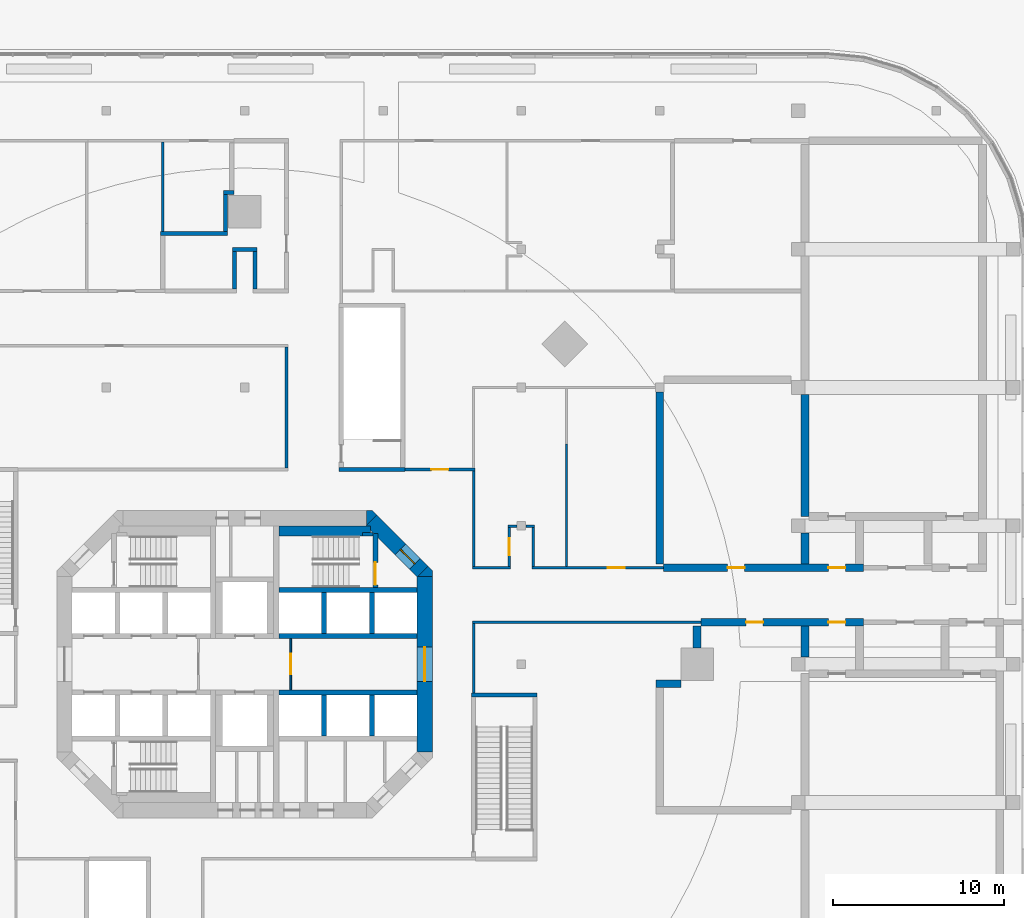
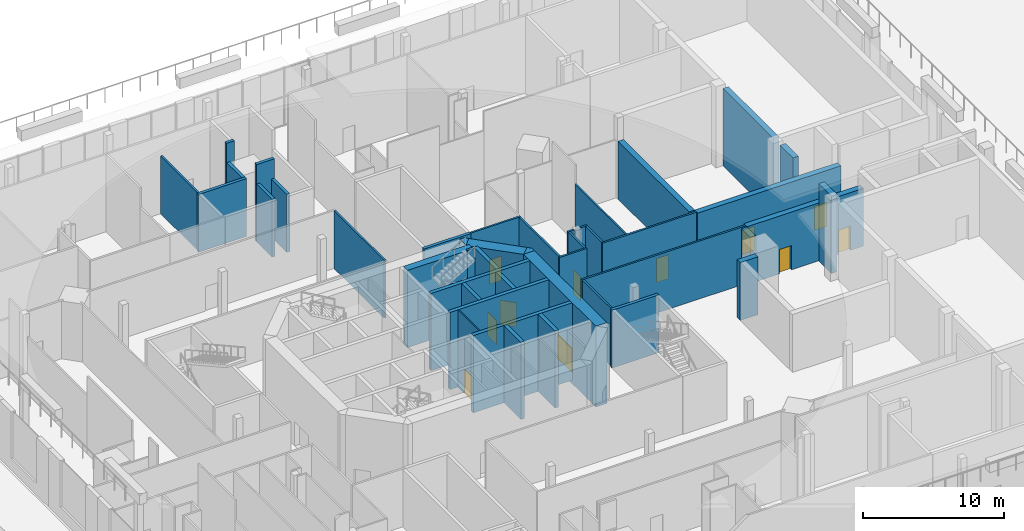
# One storey, part 11 of 17: 44 walls, 11 doors, 11 openings.
"""IFC4 building model written with IfcOpenShell, lengths in metres."""

import ifcopenshell
import ifcopenshell.guid

model = None  # the IFC model being written
_history = None  # IfcOwnerHistory: only IFC2X3 demands one
_inside = {}  # id of a spatial element -> (the spatial element, [elements in it])
_under = {}  # id of a project, library or spatial element -> (it, [spatial elements below it])
_declared = {}  # id of a project -> (the project, [libraries it declares])
_typed = {}  # id of a type object -> (the type object, [elements of that type])
_made_of = {}  # id of a material, layer set ... -> (it, [elements and type objects made of it])


def new_model(schema):
    """Start an empty IFC model of exactly this schema.

    Asked for "IFC4X3", IfcOpenShell would pick the latest addendum, in which some entities
    have other attributes; the version numbers below select the first issue.
    IFC2X3 requires an IfcOwnerHistory on every rooted entity: one is made here for all.
    """
    global model, _history
    if schema == "IFC4X3":
        model = ifcopenshell.file(schema_version=(4, 3, 0, 0))
    else:
        model = ifcopenshell.file(schema=schema)
    _inside.clear()
    _under.clear()
    _declared.clear()
    _typed.clear()
    _made_of.clear()
    _history = None
    if model.schema == "IFC2X3":
        org = make("IfcOrganization", Name="unknown")
        user = make(
            "IfcPersonAndOrganization",
            ThePerson=make("IfcPerson", FamilyName="unknown"),
            TheOrganization=org,
        )
        app = make(
            "IfcApplication",
            ApplicationDeveloper=org,
            Version="unknown",
            ApplicationFullName="unknown",
            ApplicationIdentifier="unknown",
        )
        _history = make(
            "IfcOwnerHistory",
            OwningUser=user,
            OwningApplication=app,
            ChangeAction="ADDED",
            CreationDate=0,
        )
    return model


def make(cls, **values):
    """One entity of the class cls with the attributes given. An attribute that is None is left unset."""
    return model.create_entity(
        cls, **{name: value for name, value in values.items() if value is not None}
    )


def rooted(cls, **values):
    """An entity with a GlobalId (a new one), such as an element, a storey or a relation."""
    return make(cls, GlobalId=ifcopenshell.guid.new(), OwnerHistory=_history, **values)


def si_unit(unit_type, name, prefix=None):
    """IfcSIUnit, for example si_unit("LENGTHUNIT", "METRE", prefix="MILLI")."""
    return make("IfcSIUnit", UnitType=unit_type, Prefix=prefix, Name=name)


def assignment(units):
    """IfcUnitAssignment: the units of a project."""
    return None if units is None else make("IfcUnitAssignment", Units=units)


def point(xyz):
    """IfcCartesianPoint."""
    return None if xyz is None else make("IfcCartesianPoint", Coordinates=xyz)


def direction(xyz):
    """IfcDirection."""
    return None if xyz is None else make("IfcDirection", DirectionRatios=xyz)


def frame(location, z_axis=None, x_axis=None):
    """IfcAxis2Placement3D, a coordinate frame: its origin and axes. An axis left out is left unset."""
    return make(
        "IfcAxis2Placement3D",
        Location=point(location),
        Axis=direction(z_axis),
        RefDirection=direction(x_axis),
    )


def frame_2d(location, x_axis=None):
    """IfcAxis2Placement2D, a coordinate frame in the plane: its origin and x axis."""
    return make(
        "IfcAxis2Placement2D", Location=point(location), RefDirection=direction(x_axis)
    )


def origin():
    """The frame at (0, 0, 0) with its axes left unset."""
    return frame((0.0, 0.0, 0.0))


def place(relative_to, where):
    """IfcLocalPlacement: puts the frame where relative to a parent placement (None: the world)."""
    return make(
        "IfcLocalPlacement", PlacementRelTo=relative_to, RelativePlacement=where
    )


def context(
    kind, dimensions, precision=None, world=None, true_north=None, identifier=None
):
    """IfcGeometricRepresentationContext, for example the 3D "Model" context."""
    return make(
        "IfcGeometricRepresentationContext",
        ContextIdentifier=identifier,
        ContextType=kind,
        CoordinateSpaceDimension=dimensions,
        Precision=precision,
        WorldCoordinateSystem=world,
        TrueNorth=true_north,
    )


def subcontext(parent, identifier, kind, view, scale=None):
    """IfcGeometricRepresentationSubContext, for example "Body" below "Model"."""
    return make(
        "IfcGeometricRepresentationSubContext",
        ContextIdentifier=identifier,
        ContextType=kind,
        ParentContext=parent,
        TargetScale=scale,
        TargetView=view,
    )


def project(units=None, contexts=None):
    """IfcProject with its units and contexts."""
    return rooted(
        "IfcProject",
        Name="project",
        RepresentationContexts=contexts,
        UnitsInContext=assignment(units),
    )


def spatial(cls, under=None, at=None, **own):
    """A site, building, storey or space (cls), placed at a placement, below another one or the project."""
    s = rooted(cls, ObjectPlacement=at, **own)
    if under is not None:
        _under.setdefault(under.id(), (under, []))[1].append(s)
    return s


def polyline(points):
    """IfcPolyline through the points."""
    return make("IfcPolyline", Points=[point(p) for p in points])


def profile(cls, at=None, kind="AREA", **sizes):
    """A parametric profile (cls). Its sizes go by their IFC names, for example OverallWidth=200.0."""
    return make(cls, ProfileType=kind, Position=at, **sizes)


def rectangle(**sizes):
    """IfcRectangleProfileDef."""
    return profile("IfcRectangleProfileDef", **sizes)


def outline(outer, holes=None, kind="AREA"):
    """IfcArbitraryClosedProfileDef: a profile drawn as a closed curve; with holes, ...WithVoids."""
    if holes is None:
        return make("IfcArbitraryClosedProfileDef", ProfileType=kind, OuterCurve=outer)
    return make(
        "IfcArbitraryProfileDefWithVoids",
        ProfileType=kind,
        OuterCurve=outer,
        InnerCurves=holes,
    )


def extrude(swept, where, along, depth):
    """IfcExtrudedAreaSolid: the profile swept, set in the frame where, extruded along a direction by depth."""
    return make(
        "IfcExtrudedAreaSolid",
        SweptArea=swept,
        Position=where,
        ExtrudedDirection=direction(along),
        Depth=depth,
    )


def shape(context_of_items, identifier, shape_type, items):
    """IfcShapeRepresentation: the items that make up one representation, for example the "Body"."""
    return make(
        "IfcShapeRepresentation",
        ContextOfItems=context_of_items,
        RepresentationIdentifier=identifier,
        RepresentationType=shape_type,
        Items=items,
    )


def material(Name=None, Category=None):
    """IfcMaterial."""
    return make("IfcMaterial", Name=Name, Category=Category)


def layer(
    of_material, thickness, ventilated=None, Name=None, Category=None, Priority=None
):
    """IfcMaterialLayer: one layer of a wall or slab, of a material (None: an air gap)."""
    return make(
        "IfcMaterialLayer",
        Material=of_material,
        LayerThickness=thickness,
        IsVentilated=ventilated,
        Name=Name,
        Category=Category,
        Priority=Priority,
    )


def layer_set(layers, Name=None):
    """IfcMaterialLayerSet."""
    return make("IfcMaterialLayerSet", MaterialLayers=layers, LayerSetName=Name)


def made_of(thing, what):
    """Note that an element or type object is made of a material, layer set ...; save() writes the relation."""
    if what is not None:
        _made_of.setdefault(what.id(), (what, []))[1].append(thing)
    return thing


def type_object(cls, material=None, **own):
    """A type object (cls), such as IfcWallType, which elements share."""
    return made_of(rooted(cls, **own), material)


def element(
    cls,
    number,
    at=None,
    inside=None,
    cuts=None,
    type_object=None,
    material=None,
    context=None,
    identifier="Body",
    shape_type=None,
    held_by="IfcProductDefinitionShape",
    body=None,
    shapes=None,
    **own,
):
    """One element of the class cls, such as IfcWall. Its Tag is "e" and its number.

    at: its placement. inside: the storey or other place that contains it. cuts: it is an
    opening in that element (IfcRelVoidsElement). A single representation is given by context,
    identifier, shape_type and body (its items); several are given by shapes. held_by: the class
    of the entity that holds the representations. save() writes the other relations.
    """
    e = rooted(cls, Tag="e%d" % number, ObjectPlacement=at, **own)
    if body is not None:
        shapes = [shape(context, identifier, shape_type, body)]
    if shapes is not None:
        e.Representation = make(held_by, Representations=shapes)
    if inside is not None:
        _inside.setdefault(inside.id(), (inside, []))[1].append(e)
    if cuts is not None:
        rooted(
            "IfcRelVoidsElement", RelatingBuildingElement=cuts, RelatedOpeningElement=e
        )
    if type_object is not None:
        _typed.setdefault(type_object.id(), (type_object, []))[1].append(e)
    return made_of(e, material)


def fill(opening, filler):
    """IfcRelFillsElement: the door or window that sits in an opening."""
    return rooted(
        "IfcRelFillsElement",
        RelatingOpeningElement=opening,
        RelatedBuildingElement=filler,
    )


def aggregate(whole, parts):
    """IfcRelAggregates: a whole, such as a stair, and the parts it consists of."""
    return rooted("IfcRelAggregates", RelatingObject=whole, RelatedObjects=parts)


def save(model, path):
    """Write the relations noted so far, then the file.

    IfcRelAggregates (storeys below a building ...), IfcRelContainedInSpatialStructure (elements
    in a storey), IfcRelDefinesByType, IfcRelAssociatesMaterial and IfcRelDeclares: one each for
    every whole, place, type object, material and project.
    """
    for whole, parts in _under.values():
        aggregate(whole, parts)
    for where, things in _inside.values():
        rooted(
            "IfcRelContainedInSpatialStructure",
            RelatedElements=things,
            RelatingStructure=where,
        )
    for kind, things in _typed.values():
        rooted("IfcRelDefinesByType", RelatedObjects=things, RelatingType=kind)
    for what, things in _made_of.values():
        rooted("IfcRelAssociatesMaterial", RelatedObjects=things, RelatingMaterial=what)
    for by, libraries in _declared.values():
        rooted("IfcRelDeclares", RelatingContext=by, RelatedDefinitions=libraries)
    model.write(path)


model = new_model("IFC4")

# Units and contexts
model_context = context("Model", 3, precision=1e-05, world=origin(), true_north=direction((0.0, 1.0)))
body_context = subcontext(model_context, "Body", "Model", "MODEL_VIEW")
ifc_project = project(units=[si_unit("LENGTHUNIT", "METRE"), si_unit("AREAUNIT", "SQUARE_METRE"), si_unit("VOLUMEUNIT", "CUBIC_METRE"), si_unit("PLANEANGLEUNIT", "RADIAN"), si_unit("MASSUNIT", "GRAM", prefix="KILO")], contexts=[model_context])

# Site, building, storey
site_placement = place(None, origin())
site = spatial("IfcSite", under=ifc_project, at=site_placement, CompositionType="ELEMENT")
building_placement = place(site_placement, origin())
building = spatial("IfcBuilding", under=site, at=building_placement, Name="Torre Triforio", CompositionType="ELEMENT")
storey_placement = place(building_placement, frame((0.0, 0.0, 13.0)))
storey = spatial("IfcBuildingStorey", under=building, at=storey_placement, Name="L02", CompositionType="ELEMENT", Elevation=13.0)

# Wall, opening, door
ifc_material_1 = material(Name="Concrete C60", Category="concrete")
ifc_layer_1 = layer(ifc_material_1, 0.89990234375)
ifc_layer_set_1 = layer_set([ifc_layer_1], Name="Concrete C60")
wall_type_1 = type_object("IfcWallType", Name="Core wall 900 mm C60 EI 120", PredefinedType="SHEAR", material=ifc_layer_set_1)
wall_1_placement = place(storey_placement, frame((10.550048828125, -5.1298828125, -0.320068359375), z_axis=(0.0, 0.0, 1.0), x_axis=(0.0, 1.0, 0.0)))
wall_1 = element("IfcWall", 1, at=wall_1_placement, inside=storey, type_object=wall_type_1, Name="Core wall", PredefinedType="SHEAR", context=body_context, shape_type="SweptSolid", body=[
    extrude(rectangle(XDim=10.259765625, YDim=0.89990234375, at=frame_2d((5.1298828125, 0.0))), origin(), (0.0, 0.0, 1.0), 7.0),
])
opening_1_placement = place(wall_1_placement, frame((4.1298828125, 0.0, 0.320068359375)))
opening_1 = element("IfcOpeningElement", 2, at=opening_1_placement, cuts=wall_1, Name="Opening E-RING", PredefinedType="OPENING", context=body_context, shape_type="SweptSolid", body=[
    extrude(rectangle(XDim=2.0, YDim=2.10009765625, at=frame_2d((1.0, 1.050048828125))), frame((0.0, 0.4599609375, 0.0), z_axis=(0.0, -1.0, 0.0), x_axis=(1.0, 0.0, 0.0)), (0.0, 0.0, 1.0), 0.919921875),
])
ifc_material_2 = material(Name="Hollow metal fire door leaf")
door_type_1 = type_object("IfcDoorType", Name="Lobby door 2000 x 2100 EI 60", OperationType="DOUBLE_DOOR_SINGLE_SWING", PredefinedType="DOOR", material=ifc_material_2)
door_1_placement = place(opening_1_placement, origin())
door_1 = element("IfcDoor", 3, at=door_1_placement, inside=storey, type_object=door_type_1, Name="Core door E-RING", OperationType="DOUBLE_DOOR_SINGLE_SWING", OverallHeight=2.10009765625, OverallWidth=2.0, PredefinedType="DOOR", context=body_context, shape_type="SweptSolid", body=[
    extrude(rectangle(XDim=2.0, YDim=2.10009765625, at=frame_2d((1.0, 1.050048828125))), frame((0.0, 0.02490234375, 0.0), z_axis=(0.0, -1.0, 0.0), x_axis=(1.0, 0.0, 0.0)), (0.0, 0.0, 1.0), 0.050048828125),
])
fill(opening_1, door_1)

wall_2_placement = place(storey_placement, frame((7.418212890625, 8.418212890625, -0.320068359375), z_axis=(0.0, 0.0, 1.0), x_axis=(0.707106781187, -0.707106781187, 0.0)))
wall_2 = element("IfcWall", 4, at=wall_2_placement, inside=storey, type_object=wall_type_1, Name="Core wall", PredefinedType="SHEAR", context=body_context, shape_type="SweptSolid", body=[
    extrude(rectangle(XDim=4.24267578125, YDim=0.89990234375, at=frame_2d((2.121337890625, 0.0))), origin(), (0.0, 0.0, 1.0), 7.0),
])
opening_2_placement = place(wall_2_placement, frame((2.392578125, 0.0, 0.320068359375)))
opening_2 = element("IfcOpeningElement", 5, at=opening_2_placement, cuts=wall_2, Name="Opening ST2-EXIT", PredefinedType="OPENING", context=body_context, shape_type="SweptSolid", body=[
    extrude(rectangle(XDim=1.199951171875, YDim=2.10009765625, at=frame_2d((0.60009765625, 1.050048828125))), frame((0.0, 0.4599609375, 0.0), z_axis=(0.0, -1.0, 0.0), x_axis=(1.0, 0.0, 0.0)), (0.0, 0.0, 1.0), 0.919921875),
])
door_type_2 = type_object("IfcDoorType", Name="Stair lobby door 1200 x 2100 EI 60", OperationType="NOTDEFINED", PredefinedType="DOOR", material=ifc_material_2)
door_2_placement = place(opening_2_placement, origin())
door_2 = element("IfcDoor", 6, at=door_2_placement, inside=storey, type_object=door_type_2, Name="Core door ST2-EXIT", OperationType="SINGLE_SWING_RIGHT", OverallHeight=2.10009765625, OverallWidth=1.199951171875, PredefinedType="DOOR", context=body_context, shape_type="SweptSolid", body=[
    extrude(rectangle(XDim=1.199951171875, YDim=2.10009765625, at=frame_2d((0.60009765625, 1.050048828125))), frame((0.0, 0.02490234375, 0.0), z_axis=(0.0, -1.0, 0.0), x_axis=(1.0, 0.0, 0.0)), (0.0, 0.0, 1.0), 0.050048828125),
])
fill(opening_2, door_2)

# Walls
wall_3_placement = place(storey_placement, frame((0.0, 0.0, -0.320068359375)))
element("IfcWall", 7, at=wall_3_placement, inside=storey, type_object=wall_type_1, Name="Core wall", PredefinedType="SHEAR", context=body_context, shape_type="SweptSolid", body=[
    extrude(outline(polyline([(11.0, 5.472900390625), (11.0, 5.1298828125), (10.1298828125, 5.1298828125), (10.736328125, 5.736328125), (11.0, 5.472900390625)])), origin(), (0.0, 0.0, 1.0), 7.0),
])
wall_4_placement = place(storey_placement, frame((0.0, 0.0, -0.320068359375)))
element("IfcWall", 8, at=wall_4_placement, inside=storey, type_object=wall_type_1, Name="Core wall", PredefinedType="SHEAR", context=body_context, shape_type="SweptSolid", body=[
    extrude(outline(polyline([(7.472900390625, 9.0), (7.736328125, 8.736328125), (7.1298828125, 8.1298828125), (7.1298828125, 9.0), (7.472900390625, 9.0)])), origin(), (0.0, 0.0, 1.0), 7.0),
])
ifc_material_3 = material(Name="Plasterboard on metal studs")
ifc_layer_2 = layer(ifc_material_3, 0.14990234375)
ifc_layer_set_2 = layer_set([ifc_layer_2], Name="Plasterboard on metal studs")
wall_type_2 = type_object("IfcWallType", Name="Corridor wall 150 EI 60", PredefinedType="PARTITIONING", material=ifc_layer_set_2)
wall_5_placement = place(storey_placement, frame((13.324951171875, 5.64990234375, 0.0), z_axis=(0.0, 0.0, 1.0), x_axis=(1.0, 0.0, 0.0)))
element("IfcWall", 9, at=wall_5_placement, inside=storey, type_object=wall_type_2, Name="Corridor wall L02 033", PredefinedType="PARTITIONING", context=body_context, shape_type="SweptSolid", body=[
    extrude(rectangle(XDim=2.25, YDim=0.14990234375, at=frame_2d((1.125, 0.0))), origin(), (0.0, 0.0, 1.0), 5.0),
])

# Wall, opening, door
wall_6_placement = place(storey_placement, frame((16.824951171875, 5.64990234375, 0.0), z_axis=(0.0, 0.0, 1.0), x_axis=(1.0, 0.0, 0.0)))
wall_6 = element("IfcWall", 10, at=wall_6_placement, inside=storey, type_object=wall_type_2, Name="Corridor wall L02 034", PredefinedType="PARTITIONING", context=body_context, shape_type="SweptSolid", body=[
    extrude(rectangle(XDim=7.699951171875, YDim=0.14990234375, at=frame_2d((3.85009765625, 0.0))), origin(), (0.0, 0.0, 1.0), 5.0),
])
opening_3_placement = place(wall_6_placement, frame((4.43505859375, 0.0, 0.0)))
opening_3 = element("IfcOpeningElement", 11, at=opening_3_placement, cuts=wall_6, Name="Opening P2-18", PredefinedType="OPENING", context=body_context, shape_type="SweptSolid", body=[
    extrude(rectangle(XDim=1.0, YDim=2.10009765625, at=frame_2d((0.5, 1.050048828125))), frame((0.0, 0.0849609375, 0.0), z_axis=(0.0, -1.0, 0.0), x_axis=(1.0, 0.0, 0.0)), (0.0, 0.0, 1.0), 0.169921875),
])
ifc_material_4 = material(Name="Timber door leaf", Category="wood")
door_type_3 = type_object("IfcDoorType", Name="Single door 1000 x 2100 EI 30", OperationType="NOTDEFINED", PredefinedType="DOOR", material=ifc_material_4)
door_3_placement = place(opening_3_placement, origin())
door_3 = element("IfcDoor", 12, at=door_3_placement, inside=storey, type_object=door_type_3, Name="Door P2-18", OperationType="SINGLE_SWING_LEFT", OverallHeight=2.10009765625, OverallWidth=1.0, PredefinedType="DOOR", context=body_context, shape_type="SweptSolid", body=[
    extrude(rectangle(XDim=1.0, YDim=2.10009765625, at=frame_2d((0.5, 1.050048828125))), frame((0.0, 0.02490234375, 0.0), z_axis=(0.0, -1.0, 0.0), x_axis=(1.0, 0.0, 0.0)), (0.0, 0.0, 1.0), 0.050048828125),
])
fill(opening_3, door_3)

# Walls
wall_7_placement = place(storey_placement, frame((15.425048828125, 8.080078125, 0.0), z_axis=(0.0, 0.0, 1.0), x_axis=(1.0, 0.0, 0.0)))
element("IfcWall", 13, at=wall_7_placement, inside=storey, type_object=wall_type_2, Name="Corridor wall L02 035", PredefinedType="PARTITIONING", context=body_context, shape_type="SweptSolid", body=[
    extrude(rectangle(XDim=0.514892578125, YDim=0.14990234375, at=frame_2d((0.25732421875, 0.0))), origin(), (0.0, 0.0, 1.0), 5.0),
])
wall_8_placement = place(storey_placement, frame((16.4599609375, 8.080078125, 0.0), z_axis=(0.0, 0.0, 1.0), x_axis=(1.0, 0.0, 0.0)))
element("IfcWall", 14, at=wall_8_placement, inside=storey, type_object=wall_type_2, Name="Corridor wall L02 036", PredefinedType="PARTITIONING", context=body_context, shape_type="SweptSolid", body=[
    extrude(rectangle(XDim=0.51513671875, YDim=0.14990234375, at=frame_2d((0.257568359375, 0.0))), origin(), (0.0, 0.0, 1.0), 5.0),
])

# Wall, opening, door
wall_9_placement = place(storey_placement, frame((15.5, 5.72509765625, 0.0), z_axis=(0.0, 0.0, 1.0), x_axis=(0.0, 1.0, 0.0)))
wall_9 = element("IfcWall", 15, at=wall_9_placement, inside=storey, type_object=wall_type_2, Name="Corridor wall L02 037", PredefinedType="PARTITIONING", context=body_context, shape_type="SweptSolid", body=[
    extrude(rectangle(XDim=2.27978515625, YDim=0.14990234375, at=frame_2d((1.139892578125, 0.0))), origin(), (0.0, 0.0, 1.0), 5.0),
])
opening_4_placement = place(wall_9_placement, frame((0.64990234375, 0.0, 0.0)))
opening_4 = element("IfcOpeningElement", 16, at=opening_4_placement, cuts=wall_9, Name="Opening P2-17", PredefinedType="OPENING", context=body_context, shape_type="SweptSolid", body=[
    extrude(rectangle(XDim=1.0, YDim=2.10009765625, at=frame_2d((0.5, 1.050048828125))), frame((0.0, 0.0849609375, 0.0), z_axis=(0.0, -1.0, 0.0), x_axis=(1.0, 0.0, 0.0)), (0.0, 0.0, 1.0), 0.169921875),
])
door_4_placement = place(opening_4_placement, origin())
door_4 = element("IfcDoor", 17, at=door_4_placement, inside=storey, type_object=door_type_3, Name="Door P2-17", OperationType="SINGLE_SWING_LEFT", OverallHeight=2.10009765625, OverallWidth=1.0, PredefinedType="DOOR", context=body_context, shape_type="SweptSolid", body=[
    extrude(rectangle(XDim=1.0, YDim=2.10009765625, at=frame_2d((0.5, 1.050048828125))), frame((0.0, 0.02490234375, 0.0), z_axis=(0.0, -1.0, 0.0), x_axis=(1.0, 0.0, 0.0)), (0.0, 0.0, 1.0), 0.050048828125),
])
fill(opening_4, door_4)

# Walls
wall_10_placement = place(storey_placement, frame((16.89990234375, 5.72509765625, 0.0), z_axis=(0.0, 0.0, 1.0), x_axis=(0.0, 1.0, 0.0)))
element("IfcWall", 18, at=wall_10_placement, inside=storey, type_object=wall_type_2, Name="Corridor wall L02 038", PredefinedType="PARTITIONING", context=body_context, shape_type="SweptSolid", body=[
    extrude(rectangle(XDim=2.27978515625, YDim=0.14990234375, at=frame_2d((1.139892578125, 0.0))), origin(), (0.0, 0.0, 1.0), 5.0),
])
wall_11_placement = place(storey_placement, frame((13.324951171875, 2.449951171875, 0.0), z_axis=(0.0, 0.0, 1.0), x_axis=(1.0, 0.0, 0.0)))
element("IfcWall", 19, at=wall_11_placement, inside=storey, type_object=wall_type_2, Name="Corridor wall L02 040", PredefinedType="PARTITIONING", context=body_context, shape_type="SweptSolid", body=[
    extrude(rectangle(XDim=13.380126953125, YDim=0.14990234375, at=frame_2d((6.68994140625, 0.0))), origin(), (0.0, 0.0, 1.0), 5.0),
])
wall_12_placement = place(storey_placement, frame((13.39990234375, 5.72509765625, 0.0), z_axis=(0.0, 0.0, 1.0), x_axis=(0.0, 1.0, 0.0)))
element("IfcWall", 20, at=wall_12_placement, inside=storey, type_object=wall_type_2, Name="Corridor wall L02 065", PredefinedType="PARTITIONING", context=body_context, shape_type="SweptSolid", body=[
    extrude(rectangle(XDim=5.599853515625, YDim=0.14990234375, at=frame_2d((2.7998046875, 0.0))), origin(), (0.0, 0.0, 1.0), 5.0),
])

# Wall, opening, door
wall_13_placement = place(storey_placement, frame((9.375, 11.39990234375, 0.0), z_axis=(0.0, 0.0, 1.0), x_axis=(1.0, 0.0, 0.0)))
wall_13 = element("IfcWall", 21, at=wall_13_placement, inside=storey, type_object=wall_type_2, Name="Corridor wall L02 092", PredefinedType="PARTITIONING", context=body_context, shape_type="SweptSolid", body=[
    extrude(rectangle(XDim=4.10009765625, YDim=0.14990234375, at=frame_2d((2.050048828125, 0.0))), origin(), (0.0, 0.0, 1.0), 5.0),
])
opening_5_placement = place(wall_13_placement, frame((1.550048828125, 0.0, 0.0)))
opening_5 = element("IfcOpeningElement", 22, at=opening_5_placement, cuts=wall_13, Name="Opening P2-19", PredefinedType="OPENING", context=body_context, shape_type="SweptSolid", body=[
    extrude(rectangle(XDim=1.0, YDim=2.10009765625, at=frame_2d((0.5, 1.050048828125))), frame((0.0, 0.0849609375, 0.0), z_axis=(0.0, -1.0, 0.0), x_axis=(1.0, 0.0, 0.0)), (0.0, 0.0, 1.0), 0.169921875),
])
door_5_placement = place(opening_5_placement, origin())
door_5 = element("IfcDoor", 23, at=door_5_placement, inside=storey, type_object=door_type_3, Name="Door P2-19", OperationType="SINGLE_SWING_LEFT", OverallHeight=2.10009765625, OverallWidth=1.0, PredefinedType="DOOR", context=body_context, shape_type="SweptSolid", body=[
    extrude(rectangle(XDim=1.0, YDim=2.10009765625, at=frame_2d((0.5, 1.050048828125))), frame((0.0, 0.02490234375, 0.0), z_axis=(0.0, -1.0, 0.0), x_axis=(1.0, 0.0, 0.0)), (0.0, 0.0, 1.0), 0.050048828125),
])
fill(opening_5, door_5)

# Walls
wall_14_placement = place(storey_placement, frame((2.449951171875, 11.47509765625, 0.0), z_axis=(0.0, 0.0, 1.0), x_axis=(0.0, 1.0, 0.0)))
element("IfcWall", 24, at=wall_14_placement, inside=storey, type_object=wall_type_2, Name="Corridor wall L02 097", PredefinedType="PARTITIONING", context=body_context, shape_type="SweptSolid", body=[
    extrude(rectangle(XDim=7.099853515625, YDim=0.14990234375, at=frame_2d((3.5498046875, 0.0))), origin(), (0.0, 0.0, 1.0), 5.0),
])
wall_15_placement = place(storey_placement, frame((13.39990234375, -1.675048828125, 0.0), z_axis=(0.0, 0.0, 1.0), x_axis=(0.0, 1.0, 0.0)))
element("IfcWall", 25, at=wall_15_placement, inside=storey, type_object=wall_type_2, Name="Corridor wall L02 142", PredefinedType="PARTITIONING", context=body_context, shape_type="SweptSolid", body=[
    extrude(rectangle(XDim=4.050048828125, YDim=0.14990234375, at=frame_2d((2.02490234375, 0.0))), origin(), (0.0, 0.0, 1.0), 5.0),
])

# Wall, opening, door
ifc_material_5 = material(Name="Block and board partition")
ifc_layer_3 = layer(ifc_material_5, 0.10009765625)
ifc_layer_set_3 = layer_set([ifc_layer_3], Name="Block and board partition")
wall_type_3 = type_object("IfcWallType", Name="Partition 100 mm EI 120", PredefinedType="PARTITIONING", material=ifc_layer_set_3)
wall_16_placement = place(storey_placement, frame((2.699951171875, -1.5, 0.0), z_axis=(0.0, 0.0, 1.0), x_axis=(0.0, 1.0, 0.0)))
wall_16 = element("IfcWall", 26, at=wall_16_placement, inside=storey, type_object=wall_type_3, Name="Partition", PredefinedType="PARTITIONING", context=body_context, shape_type="SweptSolid", body=[
    extrude(rectangle(XDim=3.0, YDim=0.10009765625, at=frame_2d((1.5, 0.0))), origin(), (0.0, 0.0, 1.0), 6.679931640625),
])
opening_6_placement = place(wall_16_placement, frame((0.89990234375, 0.0, 0.0)))
opening_6 = element("IfcOpeningElement", 27, at=opening_6_placement, cuts=wall_16, Name="Opening FF-E", PredefinedType="OPENING", context=body_context, shape_type="SweptSolid", body=[
    extrude(rectangle(XDim=1.199951171875, YDim=2.10009765625, at=frame_2d((0.60009765625, 1.050048828125))), frame((0.0, 0.06005859375, 0.0), z_axis=(0.0, -1.0, 0.0), x_axis=(1.0, 0.0, 0.0)), (0.0, 0.0, 1.0), 0.1201171875),
])
door_type_4 = type_object("IfcDoorType", Name="Fire-fighting lobby door 1200 x 2100 EI 60", OperationType="NOTDEFINED", PredefinedType="DOOR", material=ifc_material_2)
door_6_placement = place(opening_6_placement, origin())
door_6 = element("IfcDoor", 28, at=door_6_placement, inside=storey, type_object=door_type_4, Name="Core door FF-E", OperationType="SINGLE_SWING_RIGHT", OverallHeight=2.10009765625, OverallWidth=1.199951171875, PredefinedType="DOOR", context=body_context, shape_type="SweptSolid", body=[
    extrude(rectangle(XDim=1.199951171875, YDim=2.10009765625, at=frame_2d((0.60009765625, 1.050048828125))), frame((0.0, 0.02490234375, 0.0), z_axis=(0.0, -1.0, 0.0), x_axis=(1.0, 0.0, 0.0)), (0.0, 0.0, 1.0), 0.050048828125),
])
fill(opening_6, door_6)

# Walls
ifc_layer_4 = layer(ifc_material_3, 0.1201171875)
ifc_layer_set_4 = layer_set([ifc_layer_4], Name="Plasterboard on metal studs")
wall_type_4 = type_object("IfcWallType", Name="Partition 120", PredefinedType="PARTITIONING", material=ifc_layer_set_4)
wall_17_placement = place(storey_placement, frame((18.85009765625, 5.72509765625, 0.0), z_axis=(0.0, 0.0, 1.0), x_axis=(0.0, 1.0, 0.0)))
element("IfcWall", 29, at=wall_17_placement, inside=storey, type_object=wall_type_4, Name="Partition L02 019", PredefinedType="PARTITIONING", context=body_context, shape_type="SweptSolid", body=[
    extrude(rectangle(XDim=7.16748046875, YDim=0.1201171875, at=frame_2d((3.583740234375, 0.0))), origin(), (0.0, 0.0, 1.0), 5.0),
])
ifc_material_6 = material(Name="Masonry block", Category="masonry")
ifc_layer_5 = layer(ifc_material_6, 0.25)
ifc_layer_set_5 = layer_set([ifc_layer_5], Name="Masonry block")
wall_type_5 = type_object("IfcWallType", Name="Plant room wall 250 EI 120", PredefinedType="PARTITIONING", material=ifc_layer_set_5)
wall_18_placement = place(storey_placement, frame((-0.72509765625, 24.280029296875, 0.0), z_axis=(0.0, 0.0, 1.0), x_axis=(1.0, 0.0, 0.0)))
element("IfcWall", 30, at=wall_18_placement, inside=storey, type_object=wall_type_5, Name="Plant room wall L02 068", PredefinedType="PARTITIONING", context=body_context, shape_type="SweptSolid", body=[
    extrude(rectangle(XDim=1.4501953125, YDim=0.25, at=frame_2d((0.72509765625, 0.0))), origin(), (0.0, 0.0, 1.0), 6.679931640625),
])
for number, where, z_axis, x_axis, name in (
    (31, (-0.60009765625, 21.97509765625, 0.0), (0.0, 0.0, 1.0), (0.0, 1.0, 0.0), "Plant room wall L02 069"),
    (32, (0.60009765625, 21.97509765625, 0.0), (0.0, 0.0, 1.0), (0.0, 1.0, 0.0), "Plant room wall L02 070"),
):
    element("IfcWall", number, at=place(storey_placement, frame(where, z_axis=z_axis, x_axis=x_axis)), inside=storey, type_object=wall_type_5, Name=name, PredefinedType="PARTITIONING", context=body_context, shape_type="SweptSolid", body=[
        extrude(rectangle(XDim=2.179931640625, YDim=0.25, at=frame_2d((1.08984375, 0.0))), origin(), (0.0, 0.0, 1.0), 5.0),
    ])
wall_19_placement = place(storey_placement, frame((-4.923583984375, 25.217041015625, 0.0), z_axis=(0.0, 0.0, 1.0), x_axis=(1.0, 0.0, 0.0)))
element("IfcWall", 33, at=wall_19_placement, inside=storey, type_object=wall_type_5, Name="Plant room wall L02 175", PredefinedType="PARTITIONING", context=body_context, shape_type="SweptSolid", body=[
    extrude(rectangle(XDim=3.928466796875, YDim=0.25, at=frame_2d((1.96435546875, 0.0))), origin(), (0.0, 0.0, 1.0), 5.0),
])
wall_20_placement = place(storey_placement, frame((-1.2451171875, 27.6201171875, 0.0), z_axis=(0.0, 0.0, 1.0), x_axis=(1.0, 0.0, 0.0)))
element("IfcWall", 34, at=wall_20_placement, inside=storey, type_object=wall_type_5, Name="Plant room wall L02 176", PredefinedType="PARTITIONING", context=body_context, shape_type="SweptSolid", body=[
    extrude(rectangle(XDim=0.62109375, YDim=0.25, at=frame_2d((0.310546875, 0.0))), origin(), (0.0, 0.0, 1.0), 6.679931640625),
])
wall_21_placement = place(storey_placement, frame((-1.1201171875, 25.342041015625, 0.0), z_axis=(0.0, 0.0, 1.0), x_axis=(0.0, 1.0, 0.0)))
element("IfcWall", 35, at=wall_21_placement, inside=storey, type_object=wall_type_5, Name="Plant room wall L02 177", PredefinedType="PARTITIONING", context=body_context, shape_type="SweptSolid", body=[
    extrude(rectangle(XDim=2.153076171875, YDim=0.25, at=frame_2d((1.07666015625, 0.0))), origin(), (0.0, 0.0, 1.0), 5.0),
])
ifc_layer_6 = layer(ifc_material_1, 0.300048828125)
ifc_layer_set_6 = layer_set([ifc_layer_6], Name="Concrete C60")
wall_type_6 = type_object("IfcWallType", Name="Shaft wall 300 mm C60 EI 120", PredefinedType="SOLIDWALL", material=ifc_layer_set_6)
for number, where, z_axis, x_axis, name in (
    (36, (2.0, 4.35009765625, 0.0), (0.0, 0.0, 1.0), (1.0, 0.0, 0.0), "Shaft wall"),
    (37, (2.0, 1.64990234375, 0.0), (0.0, 0.0, 1.0), (1.0, 0.0, 0.0), "Shaft wall"),
    (38, (2.0, -1.64990234375, 0.0), (0.0, 0.0, 1.0), (1.0, 0.0, 0.0), "Shaft wall"),
):
    element("IfcWall", number, at=place(storey_placement, frame(where, z_axis=z_axis, x_axis=x_axis)), inside=storey, type_object=wall_type_6, Name=name, PredefinedType="SOLIDWALL", context=body_context, shape_type="SweptSolid", body=[
        extrude(rectangle(XDim=8.10009765625, YDim=0.300048828125, at=frame_2d((4.050048828125, 0.0))), origin(), (0.0, 0.0, 1.0), 6.679931640625),
    ])
for number, where, z_axis, x_axis, name in (
    (39, (4.64990234375, 1.800048828125, 0.0), (0.0, 0.0, 1.0), (0.0, 1.0, 0.0), "Shaft wall"),
    (40, (4.64990234375, -4.199951171875, 0.0), (0.0, 0.0, 1.0), (0.0, 1.0, 0.0), "Shaft wall"),
    (41, (7.449951171875, 1.800048828125, 0.0), (0.0, 0.0, 1.0), (0.0, 1.0, 0.0), "Shaft wall"),
    (42, (7.449951171875, -4.199951171875, 0.0), (0.0, 0.0, 1.0), (0.0, 1.0, 0.0), "Shaft wall"),
):
    element("IfcWall", number, at=place(storey_placement, frame(where, z_axis=z_axis, x_axis=x_axis)), inside=storey, type_object=wall_type_6, Name=name, PredefinedType="SOLIDWALL", context=body_context, shape_type="SweptSolid", body=[
        extrude(rectangle(XDim=2.39990234375, YDim=0.300048828125, at=frame_2d((1.199951171875, 0.0))), origin(), (0.0, 0.0, 1.0), 6.679931640625),
    ])
ifc_material_7 = material(Name="Concrete C40", Category="concrete")
ifc_layer_7 = layer(ifc_material_7, 0.25)
ifc_layer_set_7 = layer_set([ifc_layer_7], Name="Concrete C40")
wall_type_7 = type_object("IfcWallType", Name="Stair enclosure wall 250 EI 120", PredefinedType="STANDARD", material=ifc_layer_set_7)
for number, where, z_axis, x_axis, name in (
    (43, (13.27490234375, -1.800048828125, 0.0), (0.0, 0.0, 1.0), (1.0, 0.0, 0.0), "Stair enclosure wall L02 134"),
    (44, (5.52490234375, 11.39990234375, 0.0), (0.0, 0.0, 1.0), (1.0, 0.0, 0.0), "Stair enclosure wall L02 140"),
):
    element("IfcWall", number, at=place(storey_placement, frame(where, z_axis=z_axis, x_axis=x_axis)), inside=storey, type_object=wall_type_7, Name=name, PredefinedType="STANDARD", context=body_context, shape_type="SweptSolid", body=[
        extrude(rectangle(XDim=3.85009765625, YDim=0.25, at=frame_2d((1.925048828125, 0.0))), origin(), (0.0, 0.0, 1.0), 5.0),
    ])
ifc_layer_8 = layer(ifc_material_1, 0.199951171875)
ifc_layer_set_8 = layer_set([ifc_layer_8], Name="Concrete C60")
wall_type_8 = type_object("IfcWallType", Name="Stair wall 200 mm C60 EI 120", PredefinedType="SHEAR", material=ifc_layer_set_8)
wall_22_placement = place(storey_placement, frame((6.89990234375, 7.60009765625, 0.0), z_axis=(0.0, 0.0, 1.0), x_axis=(1.0, 0.0, 0.0)))
element("IfcWall", 45, at=wall_22_placement, inside=storey, type_object=wall_type_8, Name="Stair wall", PredefinedType="SHEAR", context=body_context, shape_type="SweptSolid", body=[
    extrude(rectangle(XDim=0.60009765625, YDim=0.199951171875, at=frame_2d((0.300048828125, 0.0))), origin(), (0.0, 0.0, 1.0), 6.679931640625),
])

# Wall, opening, door
ifc_layer_9 = layer(ifc_material_1, 0.300048828125)
ifc_layer_set_9 = layer_set([ifc_layer_9], Name="Concrete C60")
wall_type_9 = type_object("IfcWallType", Name="Stair wall 300 mm C60 EI 120", PredefinedType="SHEAR", material=ifc_layer_set_9)
wall_23_placement = place(storey_placement, frame((7.64990234375, 4.5, 0.0), z_axis=(0.0, 0.0, 1.0), x_axis=(0.0, 1.0, 0.0)))
wall_23 = element("IfcWall", 46, at=wall_23_placement, inside=storey, type_object=wall_type_9, Name="Stair wall", PredefinedType="SHEAR", context=body_context, shape_type="SweptSolid", body=[
    extrude(rectangle(XDim=3.139892578125, YDim=0.300048828125, at=frame_2d((1.56982421875, 0.0))), origin(), (0.0, 0.0, 1.0), 6.679931640625),
])
opening_7_placement = place(wall_23_placement, frame((0.139892578125, 0.0, 0.0)))
opening_7 = element("IfcOpeningElement", 47, at=opening_7_placement, cuts=wall_23, Name="Opening ST2-STA", PredefinedType="OPENING", context=body_context, shape_type="SweptSolid", body=[
    extrude(rectangle(XDim=1.320068359375, YDim=2.10009765625, at=frame_2d((0.66015625, 1.050048828125))), frame((0.0, 0.159912109375, 0.0), z_axis=(0.0, -1.0, 0.0), x_axis=(1.0, 0.0, 0.0)), (0.0, 0.0, 1.0), 0.320068359375),
])
door_type_5 = type_object("IfcDoorType", Name="Stair door 1320 x 2100 EI 90", OperationType="DOUBLE_DOOR_SINGLE_SWING", PredefinedType="DOOR", material=ifc_material_2)
door_7_placement = place(opening_7_placement, origin())
door_7 = element("IfcDoor", 48, at=door_7_placement, inside=storey, type_object=door_type_5, Name="Core door ST2-ST", OperationType="DOUBLE_DOOR_SINGLE_SWING", OverallHeight=2.10009765625, OverallWidth=1.320068359375, PredefinedType="DOOR", context=body_context, shape_type="SweptSolid", body=[
    extrude(rectangle(XDim=1.320068359375, YDim=2.10009765625, at=frame_2d((0.66015625, 1.050048828125))), frame((0.0, 0.02490234375, 0.0), z_axis=(0.0, -1.0, 0.0), x_axis=(1.0, 0.0, 0.0)), (0.0, 0.0, 1.0), 0.050048828125),
])
fill(opening_7, door_7)

# Walls
ifc_layer_10 = layer(ifc_material_1, 0.60009765625)
ifc_layer_set_10 = layer_set([ifc_layer_10], Name="Concrete C60")
wall_type_10 = type_object("IfcWallType", Name="Stair wall 600 mm C60 EI 120", PredefinedType="SHEAR", material=ifc_layer_set_10)
wall_24_placement = place(storey_placement, frame((2.0, 7.800048828125, 0.0), z_axis=(0.0, 0.0, 1.0), x_axis=(1.0, 0.0, 0.0)))
element("IfcWall", 49, at=wall_24_placement, inside=storey, type_object=wall_type_10, Name="Stair wall", PredefinedType="SHEAR", context=body_context, shape_type="SweptSolid", body=[
    extrude(rectangle(XDim=5.3701171875, YDim=0.60009765625, at=frame_2d((2.68505859375, 0.0))), origin(), (0.0, 0.0, 1.0), 6.679931640625),
])
ifc_material_8 = material(Name="Double leaf masonry acoustic wall", Category="masonry")
ifc_layer_11 = layer(ifc_material_8, 0.449951171875)
ifc_layer_set_11 = layer_set([ifc_layer_11], Name="Double leaf masonry acoustic wall")
wall_type_11 = type_object("IfcWallType", Name="Studio sound wall 450 EI 60", PredefinedType="PARTITIONING", material=ifc_layer_set_11)
wall_25_placement = place(storey_placement, frame((24.300048828125, 5.875, 0.0), z_axis=(0.0, 0.0, 1.0), x_axis=(0.0, 1.0, 0.0)))
element("IfcWall", 50, at=wall_25_placement, inside=storey, type_object=wall_type_11, Name="Studio sound wall L02 007", PredefinedType="PARTITIONING", context=body_context, shape_type="SweptSolid", body=[
    extrude(rectangle(XDim=10.06494140625, YDim=0.449951171875, at=frame_2d((5.032470703125, 0.0))), origin(), (0.0, 0.0, 1.0), 5.0),
])

# Wall, openings, doors
wall_26_placement = place(storey_placement, frame((24.52490234375, 5.64990234375, 0.0), z_axis=(0.0, 0.0, 1.0), x_axis=(1.0, 0.0, 0.0)))
wall_26 = element("IfcWall", 51, at=wall_26_placement, inside=storey, type_object=wall_type_11, Name="Studio sound wall L02 008", PredefinedType="PARTITIONING", context=body_context, shape_type="SweptSolid", body=[
    extrude(rectangle(XDim=11.7001953125, YDim=0.449951171875, at=frame_2d((5.85009765625, 0.0))), origin(), (0.0, 0.0, 1.0), 5.0),
])
opening_8_placement = place(wall_26_placement, frame((9.64990234375, 0.0, 0.0)))
opening_8 = element("IfcOpeningElement", 52, at=opening_8_placement, cuts=wall_26, Name="Opening P2-05", PredefinedType="OPENING", context=body_context, shape_type="SweptSolid", body=[
    extrude(rectangle(XDim=1.0, YDim=2.10009765625, at=frame_2d((0.5, 1.050048828125))), frame((0.0, 0.23486328125, 0.0), z_axis=(0.0, -1.0, 0.0), x_axis=(1.0, 0.0, 0.0)), (0.0, 0.0, 1.0), 0.469970703125),
])
opening_9_placement = place(wall_26_placement, frame((3.75, 0.0, 0.0)))
opening_9 = element("IfcOpeningElement", 53, at=opening_9_placement, cuts=wall_26, Name="Opening P2-15", PredefinedType="OPENING", context=body_context, shape_type="SweptSolid", body=[
    extrude(rectangle(XDim=1.0, YDim=2.10009765625, at=frame_2d((0.5, 1.050048828125))), frame((0.0, 0.23486328125, 0.0), z_axis=(0.0, -1.0, 0.0), x_axis=(1.0, 0.0, 0.0)), (0.0, 0.0, 1.0), 0.469970703125),
])
ifc_material_9 = material(Name="Acoustic timber door leaf", Category="wood")
door_type_6 = type_object("IfcDoorType", Name="Acoustic door 1000 x 2100 EI 60", OperationType="NOTDEFINED", PredefinedType="DOOR", material=ifc_material_9)
door_8_placement = place(opening_8_placement, origin())
door_8 = element("IfcDoor", 54, at=door_8_placement, inside=storey, type_object=door_type_6, Name="Door P2-05", OperationType="SINGLE_SWING_LEFT", OverallHeight=2.10009765625, OverallWidth=1.0, PredefinedType="DOOR", context=body_context, shape_type="SweptSolid", body=[
    extrude(rectangle(XDim=1.0, YDim=2.10009765625, at=frame_2d((0.5, 1.050048828125))), frame((0.0, 0.02490234375, 0.0), z_axis=(0.0, -1.0, 0.0), x_axis=(1.0, 0.0, 0.0)), (0.0, 0.0, 1.0), 0.050048828125),
])
fill(opening_8, door_8)
door_9_placement = place(opening_9_placement, origin())
door_9 = element("IfcDoor", 55, at=door_9_placement, inside=storey, type_object=door_type_6, Name="Door P2-15", OperationType="SINGLE_SWING_LEFT", OverallHeight=2.10009765625, OverallWidth=1.0, PredefinedType="DOOR", context=body_context, shape_type="SweptSolid", body=[
    extrude(rectangle(XDim=1.0, YDim=2.10009765625, at=frame_2d((0.5, 1.050048828125))), frame((0.0, 0.02490234375, 0.0), z_axis=(0.0, -1.0, 0.0), x_axis=(1.0, 0.0, 0.0)), (0.0, 0.0, 1.0), 0.050048828125),
])
fill(opening_9, door_9)

# Walls
wall_27_placement = place(storey_placement, frame((32.800048828125, 5.875, 0.0), z_axis=(0.0, 0.0, 1.0), x_axis=(0.0, 1.0, 0.0)))
element("IfcWall", 56, at=wall_27_placement, inside=storey, type_object=wall_type_11, Name="Studio sound wall L02 009", PredefinedType="PARTITIONING", context=body_context, shape_type="SweptSolid", body=[
    extrude(rectangle(XDim=1.81494140625, YDim=0.449951171875, at=frame_2d((0.907470703125, 0.0))), origin(), (0.0, 0.0, 1.0), 6.679931640625),
])
wall_28_placement = place(storey_placement, frame((32.800048828125, 8.64990234375, 0.0), z_axis=(0.0, 0.0, 1.0), x_axis=(0.0, 1.0, 0.0)))
element("IfcWall", 57, at=wall_28_placement, inside=storey, type_object=wall_type_11, Name="Studio sound wall L02 011", PredefinedType="PARTITIONING", context=body_context, shape_type="SweptSolid", body=[
    extrude(rectangle(XDim=7.14013671875, YDim=0.449951171875, at=frame_2d((3.570068359375, 0.0))), origin(), (0.0, 0.0, 1.0), 6.679931640625),
])

# Wall, openings, doors
wall_29_placement = place(storey_placement, frame((26.705078125, 2.449951171875, 0.0), z_axis=(0.0, 0.0, 1.0), x_axis=(1.0, 0.0, 0.0)))
wall_29 = element("IfcWall", 58, at=wall_29_placement, inside=storey, type_object=wall_type_11, Name="Studio sound wall L02 012", PredefinedType="PARTITIONING", context=body_context, shape_type="SweptSolid", body=[
    extrude(rectangle(XDim=9.52001953125, YDim=0.449951171875, at=frame_2d((4.760009765625, 0.0))), origin(), (0.0, 0.0, 1.0), 5.0),
])
opening_10_placement = place(wall_29_placement, frame((7.469970703125, 0.0, 0.0)))
opening_10 = element("IfcOpeningElement", 59, at=opening_10_placement, cuts=wall_29, Name="Opening P2-09", PredefinedType="OPENING", context=body_context, shape_type="SweptSolid", body=[
    extrude(rectangle(XDim=1.0, YDim=2.10009765625, at=frame_2d((0.5, 1.050048828125))), frame((0.0, 0.23486328125, 0.0), z_axis=(0.0, -1.0, 0.0), x_axis=(1.0, 0.0, 0.0)), (0.0, 0.0, 1.0), 0.469970703125),
])
opening_11_placement = place(wall_29_placement, frame((2.64990234375, 0.0, 0.0)))
opening_11 = element("IfcOpeningElement", 60, at=opening_11_placement, cuts=wall_29, Name="Opening P2-16", PredefinedType="OPENING", context=body_context, shape_type="SweptSolid", body=[
    extrude(rectangle(XDim=1.0, YDim=2.10009765625, at=frame_2d((0.5, 1.050048828125))), frame((0.0, 0.23486328125, 0.0), z_axis=(0.0, -1.0, 0.0), x_axis=(1.0, 0.0, 0.0)), (0.0, 0.0, 1.0), 0.469970703125),
])
door_10_placement = place(opening_10_placement, origin())
door_10 = element("IfcDoor", 61, at=door_10_placement, inside=storey, type_object=door_type_6, Name="Door P2-09", OperationType="SINGLE_SWING_LEFT", OverallHeight=2.10009765625, OverallWidth=1.0, PredefinedType="DOOR", context=body_context, shape_type="SweptSolid", body=[
    extrude(rectangle(XDim=1.0, YDim=2.10009765625, at=frame_2d((0.5, 1.050048828125))), frame((0.0, 0.02490234375, 0.0), z_axis=(0.0, -1.0, 0.0), x_axis=(1.0, 0.0, 0.0)), (0.0, 0.0, 1.0), 0.050048828125),
])
fill(opening_10, door_10)
door_11_placement = place(opening_11_placement, origin())
door_11 = element("IfcDoor", 62, at=door_11_placement, inside=storey, type_object=door_type_6, Name="Door P2-16", OperationType="SINGLE_SWING_LEFT", OverallHeight=2.10009765625, OverallWidth=1.0, PredefinedType="DOOR", context=body_context, shape_type="SweptSolid", body=[
    extrude(rectangle(XDim=1.0, YDim=2.10009765625, at=frame_2d((0.5, 1.050048828125))), frame((0.0, 0.02490234375, 0.0), z_axis=(0.0, -1.0, 0.0), x_axis=(1.0, 0.0, 0.0)), (0.0, 0.0, 1.0), 0.050048828125),
])
fill(opening_11, door_11)

# Walls
wall_30_placement = place(storey_placement, frame((32.800048828125, 0.409912109375, 0.0), z_axis=(0.0, 0.0, 1.0), x_axis=(0.0, 1.0, 0.0)))
element("IfcWall", 63, at=wall_30_placement, inside=storey, type_object=wall_type_11, Name="Studio sound wall L02 013", PredefinedType="PARTITIONING", context=body_context, shape_type="SweptSolid", body=[
    extrude(rectangle(XDim=1.815185546875, YDim=0.449951171875, at=frame_2d((0.90771484375, 0.0))), origin(), (0.0, 0.0, 1.0), 6.679931640625),
])
wall_31_placement = place(storey_placement, frame((24.074951171875, -1.14990234375, 0.0), z_axis=(0.0, 0.0, 1.0), x_axis=(1.0, 0.0, 0.0)))
element("IfcWall", 64, at=wall_31_placement, inside=storey, type_object=wall_type_11, Name="Studio sound wall L02 015", PredefinedType="PARTITIONING", context=body_context, shape_type="SweptSolid", body=[
    extrude(rectangle(XDim=1.465087890625, YDim=0.449951171875, at=frame_2d((0.732421875, 0.0))), origin(), (0.0, 0.0, 1.0), 5.0),
])
wall_32_placement = place(storey_placement, frame((26.47998046875, 0.9599609375, 0.0), z_axis=(0.0, 0.0, 1.0), x_axis=(0.0, 1.0, 0.0)))
element("IfcWall", 65, at=wall_32_placement, inside=storey, type_object=wall_type_11, Name="Studio sound wall L02 017", PredefinedType="PARTITIONING", context=body_context, shape_type="SweptSolid", body=[
    extrude(rectangle(XDim=1.26513671875, YDim=0.449951171875, at=frame_2d((0.632568359375, 0.0))), origin(), (0.0, 0.0, 1.0), 5.0),
])
ifc_layer_12 = layer(ifc_material_3, 0.14990234375)
ifc_layer_set_12 = layer_set([ifc_layer_12], Name="Plasterboard on metal studs")
wall_type_12 = type_object("IfcWallType", Name="Wet room wall 150", PredefinedType="PARTITIONING", material=ifc_layer_set_12)
wall_33_placement = place(storey_placement, frame((-4.798583984375, 25.342041015625, 0.0), z_axis=(0.0, 0.0, 1.0), x_axis=(0.0, 1.0, 0.0)))
element("IfcWall", 66, at=wall_33_placement, inside=storey, type_object=wall_type_12, Name="Wet room wall L02 179", PredefinedType="PARTITIONING", context=body_context, shape_type="SweptSolid", body=[
    extrude(rectangle(XDim=5.23291015625, YDim=0.14990234375, at=frame_2d((2.616455078125, 0.0))), origin(), (0.0, 0.0, 1.0), 5.0),
])

save(model, "model.ifc")
